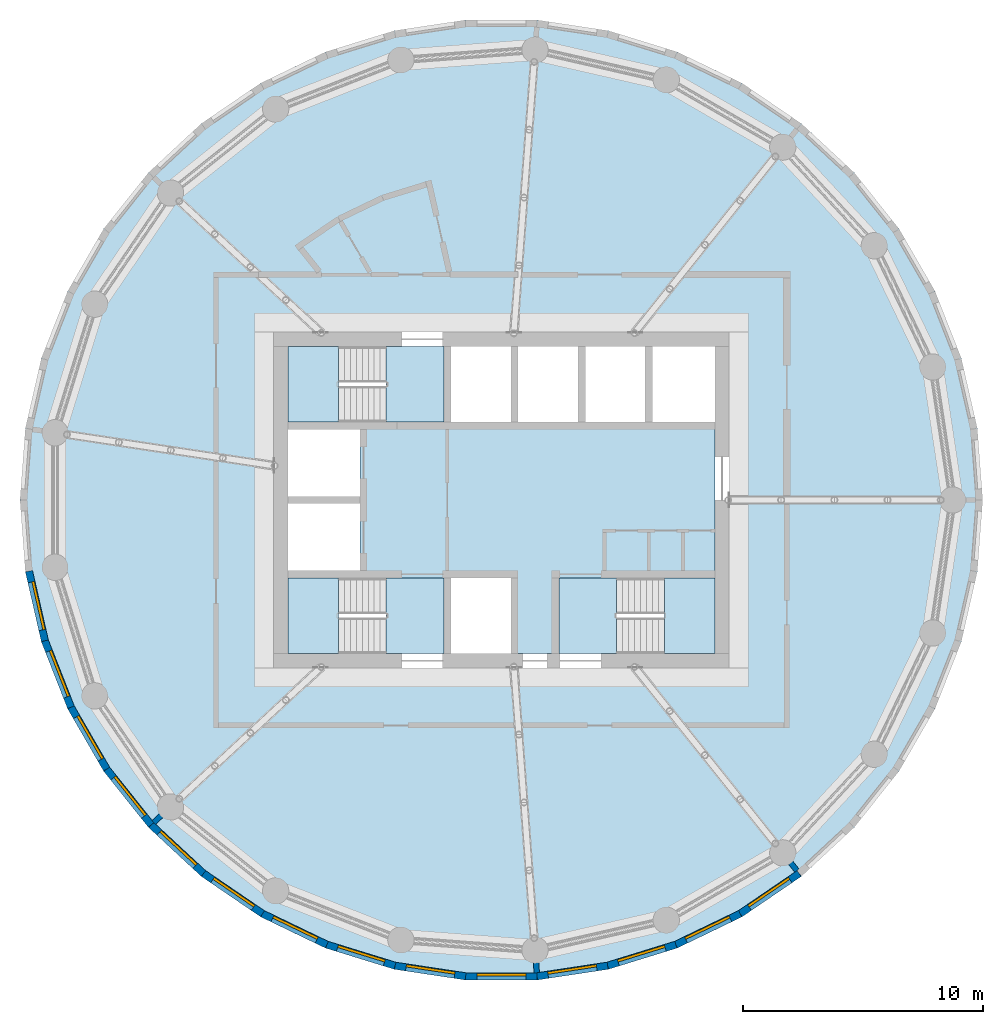
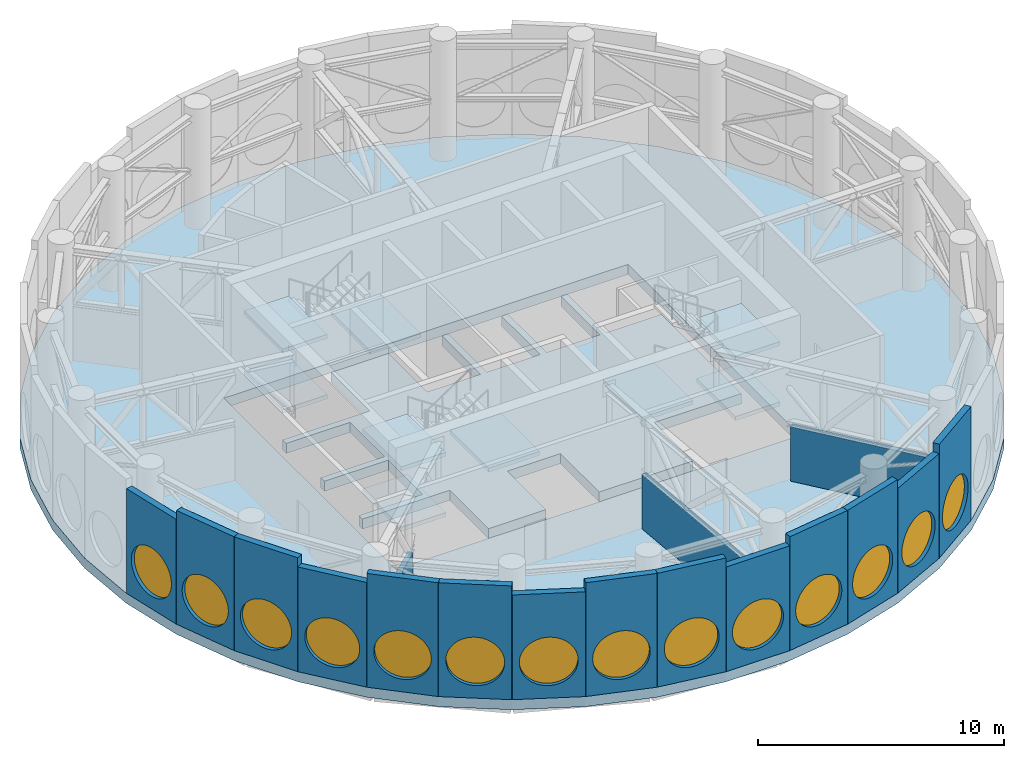
# One storey, part 7 of 13: 17 walls, 14 windows, 11 slabs, 14 openings, 3 elements without a shape of their own.
"""IFC4 building model written with IfcOpenShell, lengths in metres."""

from ifc_helpers import new_model, si_unit, direction, frame, frame_2d, origin, origin_2d, place, context, subcontext, project, spatial, polyline, rectangle, circle, outline, extrude, material, layer, layer_set, type_object, element, fill, aggregate, save


model = new_model("IFC4")

# Units and contexts
model_context = context("Model", 3, precision=1e-05, world=origin(), true_north=direction((0.0, 1.0)))
body_context = subcontext(model_context, "Body", "Model", "MODEL_VIEW")
ifc_project = project(units=[si_unit("LENGTHUNIT", "METRE"), si_unit("AREAUNIT", "SQUARE_METRE"), si_unit("VOLUMEUNIT", "CUBIC_METRE"), si_unit("PLANEANGLEUNIT", "RADIAN"), si_unit("MASSUNIT", "GRAM", prefix="KILO")], contexts=[model_context])

# Site, building, storey
site_placement = place(None, origin())
site = spatial("IfcSite", under=ifc_project, at=site_placement, CompositionType="ELEMENT")
building_placement = place(site_placement, origin())
building = spatial("IfcBuilding", under=site, at=building_placement, Name="Tracery Tower", CompositionType="ELEMENT")
storey_placement = place(building_placement, frame((0.0, 0.0, 277.800048828125)))
storey = spatial("IfcBuildingStorey", under=building, at=storey_placement, Name="L72 Plant", CompositionType="ELEMENT", Elevation=277.800048828125)

# Slabs
ifc_material_1 = material(Name="Concrete C40/50", Category="concrete")
ifc_layer_1 = layer(ifc_material_1, 0.5)
ifc_layer_set_1 = layer_set([ifc_layer_1], Name="Core floor slab 500 C40")
slab_type_1 = type_object("IfcSlabType", Name="Core floor slab 500 C40", PredefinedType="FLOOR", material=ifc_layer_set_1)
slab_1_placement = place(storey_placement, frame((0.0, 0.0, -0.5)))
element("IfcSlab", 1, at=slab_1_placement, inside=storey, type_object=slab_type_1, Name="L72 Plant core floor 1", PredefinedType="FLOOR", context=body_context, shape_type="SweptSolid", body=[
    extrude(outline(polyline([(-4.800537109375, -3.25), (-8.89990234375, -3.25), (-8.89990234375, -2.949951171875), (-5.89990234375, -2.949951171875), (-5.89990234375, -0.14990234375), (-8.89990234375, -0.14990234375), (-8.89990234375, 0.14990234375), (-5.89990234375, 0.14990234375), (-5.89990234375, 2.949951171875), (-8.89990234375, 2.949951171875), (-8.89990234375, 3.25), (-4.800537109375, 3.25), (-4.800537109375, 6.39990234375), (-2.10009765625, 6.39990234375), (-2.10009765625, 3.25), (0.39990234375, 3.25), (0.39990234375, 6.39990234375), (0.699951171875, 6.39990234375), (0.699951171875, 3.25), (3.199951171875, 3.25), (3.199951171875, 6.39990234375), (3.5, 6.39990234375), (3.5, 3.25), (6.0, 3.25), (6.0, 6.39990234375), (6.300048828125, 6.39990234375), (6.300048828125, 3.25), (8.89990234375, 3.25), (8.89990234375, -3.25), (4.800537109375, -3.25), (4.800537109375, -6.39990234375), (0.39990234375, -6.39990234375), (0.39990234375, -3.25), (-2.10009765625, -3.25), (-2.10009765625, -6.39990234375), (-4.800537109375, -6.39990234375), (-4.800537109375, -3.25)])), origin(), (0.0, 0.0, 1.0), 0.5),
])
ifc_material_2 = material(Name="Concrete C50/60", Category="concrete")
ifc_layer_2 = layer(ifc_material_2, 0.5)
ifc_layer_set_2 = layer_set([ifc_layer_2], Name="Plant floor slab 500")
slab_type_2 = type_object("IfcSlabType", Name="Plant floor slab 500", PredefinedType="FLOOR", material=ifc_layer_set_2)
slab_2_placement = place(storey_placement, frame((0.0, 0.0, -0.5)))
element("IfcSlab", 2, at=slab_2_placement, inside=storey, type_object=slab_type_2, Name="Floor slab L72 Plant", PredefinedType="FLOOR", context=body_context, shape_type="SweptSolid", body=[
    extrude(outline(polyline([(20.072265625, 0.0), (19.847900390625, 2.99169921875), (19.180419921875, 5.91650390625), (18.08447265625, 8.708984375), (16.58447265625, 11.30712890625), (14.714111328125, 13.652587890625), (12.514892578125, 15.693115234375), (10.0361328125, 17.383056640625), (7.333251953125, 18.684814453125), (4.466552734375, 19.56884765625), (1.5, 20.01611328125), (-1.5, 20.01611328125), (-4.466552734375, 19.56884765625), (-7.333251953125, 18.684814453125), (-10.0361328125, 17.383056640625), (-12.514892578125, 15.693115234375), (-14.714111328125, 13.652587890625), (-16.58447265625, 11.30712890625), (-18.08447265625, 8.708984375), (-19.180419921875, 5.91650390625), (-19.847900390625, 2.99169921875), (-20.072265625, 0.0), (-19.847900390625, -2.99169921875), (-19.180419921875, -5.91650390625), (-18.08447265625, -8.708984375), (-16.58447265625, -11.30712890625), (-14.714111328125, -13.652587890625), (-12.514892578125, -15.693115234375), (-10.0361328125, -17.383056640625), (-7.333251953125, -18.684814453125), (-4.466552734375, -19.56884765625), (-1.5, -20.01611328125), (1.5, -20.01611328125), (4.466552734375, -19.56884765625), (7.333251953125, -18.684814453125), (10.0361328125, -17.383056640625), (12.514892578125, -15.693115234375), (14.714111328125, -13.652587890625), (16.58447265625, -11.30712890625), (18.08447265625, -8.708984375), (19.180419921875, -5.91650390625), (19.847900390625, -2.99169921875), (20.072265625, 0.0)]), holes=[polyline([(-9.5, -7.0), (9.5, -7.0), (9.5, 7.0), (-9.5, 7.0), (-9.5, -7.0)])]), origin(), (0.0, 0.0, 1.0), 0.5),
])

# Stair, slabs
ifc_material_3 = material(Name="Concrete C32/40", Category="concrete")
stair_type = type_object("IfcStairType", Name="Core stair 36 risers", PredefinedType="HALF_TURN_STAIR", material=ifc_material_3)
stair_1_placement = place(storey_placement, origin())
stair_1 = element("IfcStair", 3, at=stair_1_placement, inside=storey, type_object=stair_type, Name="L72 Plant stair ST1", PredefinedType="HALF_TURN_STAIR")
ifc_material_4 = material(Name="Concrete C32/40", Category="concrete")
ifc_layer_3 = layer(ifc_material_4, 0.199951171875)
ifc_layer_set_3 = layer_set([ifc_layer_3], Name="Stair landing slab 200")
slab_type_3 = type_object("IfcSlabType", Name="Stair landing slab 200", PredefinedType="LANDING", material=ifc_layer_set_3)
slab_3_placement = place(storey_placement, frame((0.0, 0.0, 1.300048828125)))
slab_3 = element("IfcSlab", 4, at=slab_3_placement, type_object=slab_type_3, Name="ST1 landing 1", PredefinedType="LANDING", context=body_context, shape_type="SweptSolid", body=[
    extrude(outline(polyline([(-6.79931640625, -3.25), (-8.89990234375, -3.25), (-8.89990234375, -6.39990234375), (-6.79931640625, -6.39990234375), (-6.79931640625, -3.25)])), origin(), (0.0, 0.0, 1.0), 0.199951171875),
])
slab_4_placement = place(storey_placement, frame((0.0, 0.0, 2.800048828125)))
slab_4 = element("IfcSlab", 5, at=slab_4_placement, type_object=slab_type_3, Name="ST1 landing 2", PredefinedType="LANDING", context=body_context, shape_type="SweptSolid", body=[
    extrude(outline(polyline([(-2.39990234375, -3.25), (-4.800537109375, -3.25), (-4.800537109375, -6.39990234375), (-2.39990234375, -6.39990234375), (-2.39990234375, -3.25)])), origin(), (0.0, 0.0, 1.0), 0.199951171875),
])
slab_5_placement = place(storey_placement, frame((0.0, 0.0, 4.300048828125)))
slab_5 = element("IfcSlab", 6, at=slab_5_placement, type_object=slab_type_3, Name="ST1 landing 3", PredefinedType="LANDING", context=body_context, shape_type="SweptSolid", body=[
    extrude(outline(polyline([(-6.79931640625, -3.25), (-8.89990234375, -3.25), (-8.89990234375, -6.39990234375), (-6.79931640625, -6.39990234375), (-6.79931640625, -3.25)])), origin(), (0.0, 0.0, 1.0), 0.199951171875),
])
aggregate(stair_1, [slab_3, slab_4, slab_5])

stair_2_placement = place(storey_placement, origin())
stair_2 = element("IfcStair", 7, at=stair_2_placement, inside=storey, type_object=stair_type, Name="L72 Plant stair ST3", PredefinedType="HALF_TURN_STAIR")
slab_6_placement = place(storey_placement, frame((0.0, 0.0, 1.300048828125)))
slab_6 = element("IfcSlab", 8, at=slab_6_placement, type_object=slab_type_3, Name="ST3 landing 1", PredefinedType="LANDING", context=body_context, shape_type="SweptSolid", body=[
    extrude(outline(polyline([(-6.79931640625, 6.39990234375), (-8.89990234375, 6.39990234375), (-8.89990234375, 3.25), (-6.79931640625, 3.25), (-6.79931640625, 6.39990234375)])), origin(), (0.0, 0.0, 1.0), 0.199951171875),
])
slab_7_placement = place(storey_placement, frame((0.0, 0.0, 2.800048828125)))
slab_7 = element("IfcSlab", 9, at=slab_7_placement, type_object=slab_type_3, Name="ST3 landing 2", PredefinedType="LANDING", context=body_context, shape_type="SweptSolid", body=[
    extrude(outline(polyline([(-2.39990234375, 6.39990234375), (-4.800537109375, 6.39990234375), (-4.800537109375, 3.25), (-2.39990234375, 3.25), (-2.39990234375, 6.39990234375)])), origin(), (0.0, 0.0, 1.0), 0.199951171875),
])
slab_8_placement = place(storey_placement, frame((0.0, 0.0, 4.300048828125)))
slab_8 = element("IfcSlab", 10, at=slab_8_placement, type_object=slab_type_3, Name="ST3 landing 3", PredefinedType="LANDING", context=body_context, shape_type="SweptSolid", body=[
    extrude(outline(polyline([(-6.79931640625, 6.39990234375), (-8.89990234375, 6.39990234375), (-8.89990234375, 3.25), (-6.79931640625, 3.25), (-6.79931640625, 6.39990234375)])), origin(), (0.0, 0.0, 1.0), 0.199951171875),
])
aggregate(stair_2, [slab_6, slab_7, slab_8])

stair_3_placement = place(storey_placement, origin())
stair_3 = element("IfcStair", 11, at=stair_3_placement, inside=storey, type_object=stair_type, Name="L72 Plant stair ST2", PredefinedType="HALF_TURN_STAIR")
slab_9_placement = place(storey_placement, frame((0.0, 0.0, 1.300048828125)))
slab_9 = element("IfcSlab", 12, at=slab_9_placement, type_object=slab_type_3, Name="ST2 landing 1", PredefinedType="LANDING", context=body_context, shape_type="SweptSolid", body=[
    extrude(outline(polyline([(6.79931640625, -6.39990234375), (8.89990234375, -6.39990234375), (8.89990234375, -3.25), (6.79931640625, -3.25), (6.79931640625, -6.39990234375)])), origin(), (0.0, 0.0, 1.0), 0.199951171875),
])
slab_10_placement = place(storey_placement, frame((0.0, 0.0, 2.800048828125)))
slab_10 = element("IfcSlab", 13, at=slab_10_placement, type_object=slab_type_3, Name="ST2 landing 2", PredefinedType="LANDING", context=body_context, shape_type="SweptSolid", body=[
    extrude(outline(polyline([(2.39990234375, -6.39990234375), (4.800537109375, -6.39990234375), (4.800537109375, -3.25), (2.39990234375, -3.25), (2.39990234375, -6.39990234375)])), origin(), (0.0, 0.0, 1.0), 0.199951171875),
])
slab_11_placement = place(storey_placement, frame((0.0, 0.0, 4.300048828125)))
slab_11 = element("IfcSlab", 14, at=slab_11_placement, type_object=slab_type_3, Name="ST2 landing 3", PredefinedType="LANDING", context=body_context, shape_type="SweptSolid", body=[
    extrude(outline(polyline([(6.79931640625, -6.39990234375), (8.89990234375, -6.39990234375), (8.89990234375, -3.25), (6.79931640625, -3.25), (6.79931640625, -6.39990234375)])), origin(), (0.0, 0.0, 1.0), 0.199951171875),
])
aggregate(stair_3, [slab_9, slab_10, slab_11])

# Wall, opening, window
ifc_material_5 = material(Name="Precast concrete C50/60", Category="concrete")
ifc_layer_4 = layer(ifc_material_5, 0.300048828125)
ifc_layer_set_4 = layer_set([ifc_layer_4], Name="Plant louvre panel 3000 x 5200")
wall_type_1 = type_object("IfcWallType", Name="Plant louvre panel 3000 x 5200", PredefinedType="SOLIDWALL", material=ifc_layer_set_4)
wall_1_placement = place(storey_placement, frame((-19.69921875, -2.96923828125, 0.0), z_axis=(0.0, 0.0, 1.0), x_axis=(0.222535358937, -0.974924619662, 0.0)))
wall_1 = element("IfcWall", 15, at=wall_1_placement, inside=storey, type_object=wall_type_1, Name="Plant louvre panel 23 at L72 Plant", PredefinedType="SOLIDWALL", context=body_context, shape_type="SweptSolid", body=[
    extrude(rectangle(XDim=2.9775390625, YDim=0.300048828125, at=frame_2d((1.48876953125, 0.0))), origin(), (0.0, 0.0, 1.0), 5.199951171875),
])
opening_1_placement = place(wall_1_placement, frame((1.48876953125, 0.0, 1.824951171875)))
opening_1 = element("IfcOpeningElement", 16, at=opening_1_placement, cuts=wall_1, Name="Opening LV2", PredefinedType="OPENING", context=body_context, shape_type="SweptSolid", body=[
    extrude(circle(Radius=1.199951171875, at=origin_2d()), frame((0.0, 0.159912109375, 0.0), z_axis=(0.0, -1.0, 0.0), x_axis=(1.0, 0.0, 0.0)), (0.0, 0.0, 1.0), 0.320068359375),
])
ifc_material_6 = material(Name="Aluminium louvre, bronze anodised", Category="aluminium")
window_type = type_object("IfcWindowType", Name="Louvred oculus 2400, sill 625", PartitioningType="SINGLE_PANEL", PredefinedType="WINDOW", material=ifc_material_6)
window_1_placement = place(opening_1_placement, origin())
window_1 = element("IfcWindow", 17, at=window_1_placement, inside=storey, type_object=window_type, Name="Louvred oculus 23 at L72 Plant", OverallHeight=2.39990234375, OverallWidth=2.39990234375, PartitioningType="SINGLE_PANEL", PredefinedType="WINDOW", context=body_context, shape_type="SweptSolid", body=[
    extrude(circle(Radius=1.199951171875, at=origin_2d()), frame((0.0, 0.1201171875, 0.0), z_axis=(0.0, -1.0, 0.0), x_axis=(1.0, 0.0, 0.0)), (0.0, 0.0, 1.0), 0.10009765625),
])
fill(opening_1, window_1)

wall_2_placement = place(storey_placement, frame((-16.460205078125, -11.222412109375, 0.0), z_axis=(0.0, 0.0, 1.0), x_axis=(0.623494374707, -0.781827835722, 0.0)))
wall_2 = element("IfcWall", 18, at=wall_2_placement, inside=storey, type_object=wall_type_1, Name="Plant louvre panel 26 at L72 Plant", PredefinedType="SOLIDWALL", context=body_context, shape_type="SweptSolid", body=[
    extrude(rectangle(XDim=2.9775390625, YDim=0.300048828125, at=frame_2d((1.48876953125, 0.0))), origin(), (0.0, 0.0, 1.0), 5.199951171875),
])
opening_2_placement = place(wall_2_placement, frame((1.48876953125, 0.0, 1.824951171875)))
opening_2 = element("IfcOpeningElement", 19, at=opening_2_placement, cuts=wall_2, Name="Opening LV2", PredefinedType="OPENING", context=body_context, shape_type="SweptSolid", body=[
    extrude(circle(Radius=1.199951171875, at=origin_2d()), frame((0.0, 0.159912109375, 0.0), z_axis=(0.0, -1.0, 0.0), x_axis=(1.0, 0.0, 0.0)), (0.0, 0.0, 1.0), 0.320068359375),
])
window_2_placement = place(opening_2_placement, origin())
window_2 = element("IfcWindow", 20, at=window_2_placement, inside=storey, type_object=window_type, Name="Louvred oculus 26 at L72 Plant", OverallHeight=2.39990234375, OverallWidth=2.39990234375, PartitioningType="SINGLE_PANEL", PredefinedType="WINDOW", context=body_context, shape_type="SweptSolid", body=[
    extrude(circle(Radius=1.199951171875, at=origin_2d()), frame((0.0, 0.1201171875, 0.0), z_axis=(0.0, -1.0, 0.0), x_axis=(1.0, 0.0, 0.0)), (0.0, 0.0, 1.0), 0.10009765625),
])
fill(opening_2, window_2)

wall_3_placement = place(storey_placement, frame((-9.9609375, -17.252685546875, 0.0), z_axis=(0.0, 0.0, 1.0), x_axis=(0.900954184324, -0.433914228562, 0.0)))
wall_3 = element("IfcWall", 21, at=wall_3_placement, inside=storey, type_object=wall_type_1, Name="Plant louvre panel 29 at L72 Plant", PredefinedType="SOLIDWALL", context=body_context, shape_type="SweptSolid", body=[
    extrude(rectangle(XDim=2.9775390625, YDim=0.300048828125, at=frame_2d((1.48876953125, 0.0))), origin(), (0.0, 0.0, 1.0), 5.199951171875),
])
opening_3_placement = place(wall_3_placement, frame((1.48876953125, 0.0, 1.824951171875)))
opening_3 = element("IfcOpeningElement", 22, at=opening_3_placement, cuts=wall_3, Name="Opening LV2", PredefinedType="OPENING", context=body_context, shape_type="SweptSolid", body=[
    extrude(circle(Radius=1.199951171875, at=origin_2d()), frame((0.0, 0.159912109375, 0.0), z_axis=(0.0, -1.0, 0.0), x_axis=(1.0, 0.0, 0.0)), (0.0, 0.0, 1.0), 0.320068359375),
])
window_3_placement = place(opening_3_placement, origin())
window_3 = element("IfcWindow", 23, at=window_3_placement, inside=storey, type_object=window_type, Name="Louvred oculus 29 at L72 Plant", OverallHeight=2.39990234375, OverallWidth=2.39990234375, PartitioningType="SINGLE_PANEL", PredefinedType="WINDOW", context=body_context, shape_type="SweptSolid", body=[
    extrude(circle(Radius=1.199951171875, at=origin_2d()), frame((0.0, 0.1201171875, 0.0), z_axis=(0.0, -1.0, 0.0), x_axis=(1.0, 0.0, 0.0)), (0.0, 0.0, 1.0), 0.10009765625),
])
fill(opening_3, window_3)

wall_4_placement = place(storey_placement, frame((-1.48876953125, -19.865966796875, 0.0), z_axis=(0.0, 0.0, 1.0), x_axis=(1.0, 0.0, 0.0)))
wall_4 = element("IfcWall", 24, at=wall_4_placement, inside=storey, type_object=wall_type_1, Name="Plant louvre panel 32 at L72 Plant", PredefinedType="SOLIDWALL", context=body_context, shape_type="SweptSolid", body=[
    extrude(rectangle(XDim=2.9775390625, YDim=0.300048828125, at=frame_2d((1.48876953125, 0.0))), origin(), (0.0, 0.0, 1.0), 5.199951171875),
])
opening_4_placement = place(wall_4_placement, frame((1.48876953125, 0.0, 1.824951171875)))
opening_4 = element("IfcOpeningElement", 25, at=opening_4_placement, cuts=wall_4, Name="Opening LV2", PredefinedType="OPENING", context=body_context, shape_type="SweptSolid", body=[
    extrude(circle(Radius=1.199951171875, at=origin_2d()), frame((0.0, 0.159912109375, 0.0), z_axis=(0.0, -1.0, 0.0), x_axis=(1.0, 0.0, 0.0)), (0.0, 0.0, 1.0), 0.320068359375),
])
window_4_placement = place(opening_4_placement, origin())
window_4 = element("IfcWindow", 26, at=window_4_placement, inside=storey, type_object=window_type, Name="Louvred oculus 32 at L72 Plant", OverallHeight=2.39990234375, OverallWidth=2.39990234375, PartitioningType="SINGLE_PANEL", PredefinedType="WINDOW", context=body_context, shape_type="SweptSolid", body=[
    extrude(circle(Radius=1.199951171875, at=origin_2d()), frame((0.0, 0.1201171875, 0.0), z_axis=(0.0, -1.0, 0.0), x_axis=(1.0, 0.0, 0.0)), (0.0, 0.0, 1.0), 0.10009765625),
])
fill(opening_4, window_4)

wall_5_placement = place(storey_placement, frame((7.2783203125, -18.544677734375, 0.0), z_axis=(0.0, 0.0, 1.0), x_axis=(0.900954184324, 0.433914228562, 0.0)))
wall_5 = element("IfcWall", 27, at=wall_5_placement, inside=storey, type_object=wall_type_1, Name="Plant louvre panel 35 at L72 Plant", PredefinedType="SOLIDWALL", context=body_context, shape_type="SweptSolid", body=[
    extrude(rectangle(XDim=2.9775390625, YDim=0.300048828125, at=frame_2d((1.48876953125, 0.0))), origin(), (0.0, 0.0, 1.0), 5.199951171875),
])
opening_5_placement = place(wall_5_placement, frame((1.48876953125, 0.0, 1.824951171875)))
opening_5 = element("IfcOpeningElement", 28, at=opening_5_placement, cuts=wall_5, Name="Opening LV2", PredefinedType="OPENING", context=body_context, shape_type="SweptSolid", body=[
    extrude(circle(Radius=1.199951171875, at=origin_2d()), frame((0.0, 0.159912109375, 0.0), z_axis=(0.0, -1.0, 0.0), x_axis=(1.0, 0.0, 0.0)), (0.0, 0.0, 1.0), 0.320068359375),
])
window_5_placement = place(opening_5_placement, origin())
window_5 = element("IfcWindow", 29, at=window_5_placement, inside=storey, type_object=window_type, Name="Louvred oculus 35 at L72 Plant", OverallHeight=2.39990234375, OverallWidth=2.39990234375, PartitioningType="SINGLE_PANEL", PredefinedType="WINDOW", context=body_context, shape_type="SweptSolid", body=[
    extrude(circle(Radius=1.199951171875, at=origin_2d()), frame((0.0, 0.1201171875, 0.0), z_axis=(0.0, -1.0, 0.0), x_axis=(1.0, 0.0, 0.0)), (0.0, 0.0, 1.0), 0.10009765625),
])
fill(opening_5, window_5)

ifc_material_7 = material(Name="Precast concrete C50/60", Category="concrete")
ifc_layer_5 = layer(ifc_material_7, 0.300048828125)
ifc_layer_set_5 = layer_set([ifc_layer_5], Name="Plant louvre panel 3000 x 5650")
wall_type_2 = type_object("IfcWallType", Name="Plant louvre panel 3000 x 5650", PredefinedType="SOLIDWALL", material=ifc_layer_set_5)
wall_6_placement = place(storey_placement, frame((-19.03662109375, -5.8720703125, 0.0), z_axis=(0.0, 0.0, 1.0), x_axis=(0.365289571566, -0.930893940739, 0.0)))
wall_6 = element("IfcWall", 30, at=wall_6_placement, inside=storey, type_object=wall_type_2, Name="Plant louvre panel 24 at L72 Plant", PredefinedType="SOLIDWALL", context=body_context, shape_type="SweptSolid", body=[
    extrude(rectangle(XDim=2.9775390625, YDim=0.300048828125, at=frame_2d((1.48876953125, 0.0))), origin(), (0.0, 0.0, 1.0), 5.64990234375),
])
opening_6_placement = place(wall_6_placement, frame((1.48876953125, 0.0, 1.824951171875)))
opening_6 = element("IfcOpeningElement", 31, at=opening_6_placement, cuts=wall_6, Name="Opening LV2", PredefinedType="OPENING", context=body_context, shape_type="SweptSolid", body=[
    extrude(circle(Radius=1.199951171875, at=origin_2d()), frame((0.0, 0.159912109375, 0.0), z_axis=(0.0, -1.0, 0.0), x_axis=(1.0, 0.0, 0.0)), (0.0, 0.0, 1.0), 0.320068359375),
])
window_6_placement = place(opening_6_placement, origin())
window_6 = element("IfcWindow", 32, at=window_6_placement, inside=storey, type_object=window_type, Name="Louvred oculus 24 at L72 Plant", OverallHeight=2.39990234375, OverallWidth=2.39990234375, PartitioningType="SINGLE_PANEL", PredefinedType="WINDOW", context=body_context, shape_type="SweptSolid", body=[
    extrude(circle(Radius=1.199951171875, at=origin_2d()), frame((0.0, 0.1201171875, 0.0), z_axis=(0.0, -1.0, 0.0), x_axis=(1.0, 0.0, 0.0)), (0.0, 0.0, 1.0), 0.10009765625),
])
fill(opening_6, window_6)

wall_7_placement = place(storey_placement, frame((-17.948974609375, -8.643798828125, 0.0), z_axis=(0.0, 0.0, 1.0), x_axis=(0.500001626982, -0.866024464444, 0.0)))
wall_7 = element("IfcWall", 33, at=wall_7_placement, inside=storey, type_object=wall_type_2, Name="Plant louvre panel 25 at L72 Plant", PredefinedType="SOLIDWALL", context=body_context, shape_type="SweptSolid", body=[
    extrude(rectangle(XDim=2.9775390625, YDim=0.300048828125, at=frame_2d((1.48876953125, 0.0))), origin(), (0.0, 0.0, 1.0), 5.64990234375),
])
opening_7_placement = place(wall_7_placement, frame((1.48876953125, 0.0, 1.824951171875)))
opening_7 = element("IfcOpeningElement", 34, at=opening_7_placement, cuts=wall_7, Name="Opening LV2", PredefinedType="OPENING", context=body_context, shape_type="SweptSolid", body=[
    extrude(circle(Radius=1.199951171875, at=origin_2d()), frame((0.0, 0.159912109375, 0.0), z_axis=(0.0, -1.0, 0.0), x_axis=(1.0, 0.0, 0.0)), (0.0, 0.0, 1.0), 0.320068359375),
])
window_7_placement = place(opening_7_placement, origin())
window_7 = element("IfcWindow", 35, at=window_7_placement, inside=storey, type_object=window_type, Name="Louvred oculus 25 at L72 Plant", OverallHeight=2.39990234375, OverallWidth=2.39990234375, PartitioningType="SINGLE_PANEL", PredefinedType="WINDOW", context=body_context, shape_type="SweptSolid", body=[
    extrude(circle(Radius=1.199951171875, at=origin_2d()), frame((0.0, 0.1201171875, 0.0), z_axis=(0.0, -1.0, 0.0), x_axis=(1.0, 0.0, 0.0)), (0.0, 0.0, 1.0), 0.10009765625),
])
fill(opening_7, window_7)

wall_8_placement = place(storey_placement, frame((-14.603759765625, -13.55029296875, 0.0), z_axis=(0.0, 0.0, 1.0), x_axis=(0.733056277766, -0.68016798927, 0.0)))
wall_8 = element("IfcWall", 36, at=wall_8_placement, inside=storey, type_object=wall_type_2, Name="Plant louvre panel 27 at L72 Plant", PredefinedType="SOLIDWALL", context=body_context, shape_type="SweptSolid", body=[
    extrude(rectangle(XDim=2.9775390625, YDim=0.300048828125, at=frame_2d((1.48876953125, 0.0))), origin(), (0.0, 0.0, 1.0), 5.64990234375),
])
opening_8_placement = place(wall_8_placement, frame((1.48876953125, 0.0, 1.824951171875)))
opening_8 = element("IfcOpeningElement", 37, at=opening_8_placement, cuts=wall_8, Name="Opening LV2", PredefinedType="OPENING", context=body_context, shape_type="SweptSolid", body=[
    extrude(circle(Radius=1.199951171875, at=origin_2d()), frame((0.0, 0.159912109375, 0.0), z_axis=(0.0, -1.0, 0.0), x_axis=(1.0, 0.0, 0.0)), (0.0, 0.0, 1.0), 0.320068359375),
])
window_8_placement = place(opening_8_placement, origin())
window_8 = element("IfcWindow", 38, at=window_8_placement, inside=storey, type_object=window_type, Name="Louvred oculus 27 at L72 Plant", OverallHeight=2.39990234375, OverallWidth=2.39990234375, PartitioningType="SINGLE_PANEL", PredefinedType="WINDOW", context=body_context, shape_type="SweptSolid", body=[
    extrude(circle(Radius=1.199951171875, at=origin_2d()), frame((0.0, 0.1201171875, 0.0), z_axis=(0.0, -1.0, 0.0), x_axis=(1.0, 0.0, 0.0)), (0.0, 0.0, 1.0), 0.10009765625),
])
fill(opening_8, window_8)

wall_9_placement = place(storey_placement, frame((-12.421142578125, -15.575439453125, 0.0), z_axis=(0.0, 0.0, 1.0), x_axis=(0.826253362584, -0.56329866041, 0.0)))
wall_9 = element("IfcWall", 39, at=wall_9_placement, inside=storey, type_object=wall_type_2, Name="Plant louvre panel 28 at L72 Plant", PredefinedType="SOLIDWALL", context=body_context, shape_type="SweptSolid", body=[
    extrude(rectangle(XDim=2.9775390625, YDim=0.300048828125, at=frame_2d((1.48876953125, 0.0))), origin(), (0.0, 0.0, 1.0), 5.64990234375),
])
opening_9_placement = place(wall_9_placement, frame((1.48876953125, 0.0, 1.824951171875)))
opening_9 = element("IfcOpeningElement", 40, at=opening_9_placement, cuts=wall_9, Name="Opening LV2", PredefinedType="OPENING", context=body_context, shape_type="SweptSolid", body=[
    extrude(circle(Radius=1.199951171875, at=origin_2d()), frame((0.0, 0.159912109375, 0.0), z_axis=(0.0, -1.0, 0.0), x_axis=(1.0, 0.0, 0.0)), (0.0, 0.0, 1.0), 0.320068359375),
])
window_9_placement = place(opening_9_placement, origin())
window_9 = element("IfcWindow", 41, at=window_9_placement, inside=storey, type_object=window_type, Name="Louvred oculus 28 at L72 Plant", OverallHeight=2.39990234375, OverallWidth=2.39990234375, PartitioningType="SINGLE_PANEL", PredefinedType="WINDOW", context=body_context, shape_type="SweptSolid", body=[
    extrude(circle(Radius=1.199951171875, at=origin_2d()), frame((0.0, 0.1201171875, 0.0), z_axis=(0.0, -1.0, 0.0), x_axis=(1.0, 0.0, 0.0)), (0.0, 0.0, 1.0), 0.10009765625),
])
fill(opening_9, window_9)

wall_10_placement = place(storey_placement, frame((-7.2783203125, -18.544677734375, 0.0), z_axis=(0.0, 0.0, 1.0), x_axis=(0.955567792294, -0.294771427261, 0.0)))
wall_10 = element("IfcWall", 42, at=wall_10_placement, inside=storey, type_object=wall_type_2, Name="Plant louvre panel 30 at L72 Plant", PredefinedType="SOLIDWALL", context=body_context, shape_type="SweptSolid", body=[
    extrude(rectangle(XDim=2.9775390625, YDim=0.300048828125, at=frame_2d((1.48876953125, 0.0))), origin(), (0.0, 0.0, 1.0), 5.64990234375),
])
opening_10_placement = place(wall_10_placement, frame((1.48876953125, 0.0, 1.824951171875)))
opening_10 = element("IfcOpeningElement", 43, at=opening_10_placement, cuts=wall_10, Name="Opening LV2", PredefinedType="OPENING", context=body_context, shape_type="SweptSolid", body=[
    extrude(circle(Radius=1.199951171875, at=origin_2d()), frame((0.0, 0.159912109375, 0.0), z_axis=(0.0, -1.0, 0.0), x_axis=(1.0, 0.0, 0.0)), (0.0, 0.0, 1.0), 0.320068359375),
])
window_10_placement = place(opening_10_placement, origin())
window_10 = element("IfcWindow", 44, at=window_10_placement, inside=storey, type_object=window_type, Name="Louvred oculus 30 at L72 Plant", OverallHeight=2.39990234375, OverallWidth=2.39990234375, PartitioningType="SINGLE_PANEL", PredefinedType="WINDOW", context=body_context, shape_type="SweptSolid", body=[
    extrude(circle(Radius=1.199951171875, at=origin_2d()), frame((0.0, 0.1201171875, 0.0), z_axis=(0.0, -1.0, 0.0), x_axis=(1.0, 0.0, 0.0)), (0.0, 0.0, 1.0), 0.10009765625),
])
fill(opening_10, window_10)

wall_11_placement = place(storey_placement, frame((-4.43310546875, -19.42236328125, 0.0), z_axis=(0.0, 0.0, 1.0), x_axis=(0.988839917871, -0.148981934558, 0.0)))
wall_11 = element("IfcWall", 45, at=wall_11_placement, inside=storey, type_object=wall_type_2, Name="Plant louvre panel 31 at L72 Plant", PredefinedType="SOLIDWALL", context=body_context, shape_type="SweptSolid", body=[
    extrude(rectangle(XDim=2.9775390625, YDim=0.300048828125, at=frame_2d((1.48876953125, 0.0))), origin(), (0.0, 0.0, 1.0), 5.64990234375),
])
opening_11_placement = place(wall_11_placement, frame((1.48876953125, 0.0, 1.824951171875)))
opening_11 = element("IfcOpeningElement", 46, at=opening_11_placement, cuts=wall_11, Name="Opening LV2", PredefinedType="OPENING", context=body_context, shape_type="SweptSolid", body=[
    extrude(circle(Radius=1.199951171875, at=origin_2d()), frame((0.0, 0.159912109375, 0.0), z_axis=(0.0, -1.0, 0.0), x_axis=(1.0, 0.0, 0.0)), (0.0, 0.0, 1.0), 0.320068359375),
])
window_11_placement = place(opening_11_placement, origin())
window_11 = element("IfcWindow", 47, at=window_11_placement, inside=storey, type_object=window_type, Name="Louvred oculus 31 at L72 Plant", OverallHeight=2.39990234375, OverallWidth=2.39990234375, PartitioningType="SINGLE_PANEL", PredefinedType="WINDOW", context=body_context, shape_type="SweptSolid", body=[
    extrude(circle(Radius=1.199951171875, at=origin_2d()), frame((0.0, 0.1201171875, 0.0), z_axis=(0.0, -1.0, 0.0), x_axis=(1.0, 0.0, 0.0)), (0.0, 0.0, 1.0), 0.10009765625),
])
fill(opening_11, window_11)

wall_12_placement = place(storey_placement, frame((1.48876953125, -19.865966796875, 0.0), z_axis=(0.0, 0.0, 1.0), x_axis=(0.988839917871, 0.148981934558, 0.0)))
wall_12 = element("IfcWall", 48, at=wall_12_placement, inside=storey, type_object=wall_type_2, Name="Plant louvre panel 33 at L72 Plant", PredefinedType="SOLIDWALL", context=body_context, shape_type="SweptSolid", body=[
    extrude(rectangle(XDim=2.9775390625, YDim=0.300048828125, at=frame_2d((1.48876953125, 0.0))), origin(), (0.0, 0.0, 1.0), 5.64990234375),
])
opening_12_placement = place(wall_12_placement, frame((1.48876953125, 0.0, 1.824951171875)))
opening_12 = element("IfcOpeningElement", 49, at=opening_12_placement, cuts=wall_12, Name="Opening LV2", PredefinedType="OPENING", context=body_context, shape_type="SweptSolid", body=[
    extrude(circle(Radius=1.199951171875, at=origin_2d()), frame((0.0, 0.159912109375, 0.0), z_axis=(0.0, -1.0, 0.0), x_axis=(1.0, 0.0, 0.0)), (0.0, 0.0, 1.0), 0.320068359375),
])
window_12_placement = place(opening_12_placement, origin())
window_12 = element("IfcWindow", 50, at=window_12_placement, inside=storey, type_object=window_type, Name="Louvred oculus 33 at L72 Plant", OverallHeight=2.39990234375, OverallWidth=2.39990234375, PartitioningType="SINGLE_PANEL", PredefinedType="WINDOW", context=body_context, shape_type="SweptSolid", body=[
    extrude(circle(Radius=1.199951171875, at=origin_2d()), frame((0.0, 0.1201171875, 0.0), z_axis=(0.0, -1.0, 0.0), x_axis=(1.0, 0.0, 0.0)), (0.0, 0.0, 1.0), 0.10009765625),
])
fill(opening_12, window_12)

wall_13_placement = place(storey_placement, frame((4.43310546875, -19.42236328125, 0.0), z_axis=(0.0, 0.0, 1.0), x_axis=(0.955567792294, 0.294771427261, 0.0)))
wall_13 = element("IfcWall", 51, at=wall_13_placement, inside=storey, type_object=wall_type_2, Name="Plant louvre panel 34 at L72 Plant", PredefinedType="SOLIDWALL", context=body_context, shape_type="SweptSolid", body=[
    extrude(rectangle(XDim=2.9775390625, YDim=0.300048828125, at=frame_2d((1.48876953125, 0.0))), origin(), (0.0, 0.0, 1.0), 5.64990234375),
])
opening_13_placement = place(wall_13_placement, frame((1.48876953125, 0.0, 1.824951171875)))
opening_13 = element("IfcOpeningElement", 52, at=opening_13_placement, cuts=wall_13, Name="Opening LV2", PredefinedType="OPENING", context=body_context, shape_type="SweptSolid", body=[
    extrude(circle(Radius=1.199951171875, at=origin_2d()), frame((0.0, 0.159912109375, 0.0), z_axis=(0.0, -1.0, 0.0), x_axis=(1.0, 0.0, 0.0)), (0.0, 0.0, 1.0), 0.320068359375),
])
window_13_placement = place(opening_13_placement, origin())
window_13 = element("IfcWindow", 53, at=window_13_placement, inside=storey, type_object=window_type, Name="Louvred oculus 34 at L72 Plant", OverallHeight=2.39990234375, OverallWidth=2.39990234375, PartitioningType="SINGLE_PANEL", PredefinedType="WINDOW", context=body_context, shape_type="SweptSolid", body=[
    extrude(circle(Radius=1.199951171875, at=origin_2d()), frame((0.0, 0.1201171875, 0.0), z_axis=(0.0, -1.0, 0.0), x_axis=(1.0, 0.0, 0.0)), (0.0, 0.0, 1.0), 0.10009765625),
])
fill(opening_13, window_13)

wall_14_placement = place(storey_placement, frame((9.9609375, -17.252685546875, 0.0), z_axis=(0.0, 0.0, 1.0), x_axis=(0.826253362584, 0.56329866041, 0.0)))
wall_14 = element("IfcWall", 54, at=wall_14_placement, inside=storey, type_object=wall_type_2, Name="Plant louvre panel 36 at L72 Plant", PredefinedType="SOLIDWALL", context=body_context, shape_type="SweptSolid", body=[
    extrude(rectangle(XDim=2.9775390625, YDim=0.300048828125, at=frame_2d((1.48876953125, 0.0))), origin(), (0.0, 0.0, 1.0), 5.64990234375),
])
opening_14_placement = place(wall_14_placement, frame((1.48876953125, 0.0, 1.824951171875)))
opening_14 = element("IfcOpeningElement", 55, at=opening_14_placement, cuts=wall_14, Name="Opening LV2", PredefinedType="OPENING", context=body_context, shape_type="SweptSolid", body=[
    extrude(circle(Radius=1.199951171875, at=origin_2d()), frame((0.0, 0.159912109375, 0.0), z_axis=(0.0, -1.0, 0.0), x_axis=(1.0, 0.0, 0.0)), (0.0, 0.0, 1.0), 0.320068359375),
])
window_14_placement = place(opening_14_placement, origin())
window_14 = element("IfcWindow", 56, at=window_14_placement, inside=storey, type_object=window_type, Name="Louvred oculus 36 at L72 Plant", OverallHeight=2.39990234375, OverallWidth=2.39990234375, PartitioningType="SINGLE_PANEL", PredefinedType="WINDOW", context=body_context, shape_type="SweptSolid", body=[
    extrude(circle(Radius=1.199951171875, at=origin_2d()), frame((0.0, 0.1201171875, 0.0), z_axis=(0.0, -1.0, 0.0), x_axis=(1.0, 0.0, 0.0)), (0.0, 0.0, 1.0), 0.10009765625),
])
fill(opening_14, window_14)

# Walls
ifc_material_8 = material(Name="Concrete blockwork", Category="masonry")
ifc_layer_6 = layer(ifc_material_8, 0.22509765625)
ifc_layer_set_6 = layer_set([ifc_layer_6], Name="Plant wall under outrigger truss 225")
wall_type_3 = type_object("IfcWallType", Name="Plant wall under outrigger truss 225", PredefinedType="PARTITIONING", material=ifc_layer_set_6)
wall_15_placement = place(storey_placement, frame((-14.493408203125, -13.447998046875, 0.0), z_axis=(0.0, 0.0, 1.0), x_axis=(0.733050106305, 0.680174640549, 0.0)))
element("IfcWall", 57, at=wall_15_placement, inside=storey, type_object=wall_type_3, Name="Plant wall under outrigger truss 225", PredefinedType="PARTITIONING", context=body_context, shape_type="SweptSolid", body=[
    extrude(rectangle(XDim=5.725341796875, YDim=0.22509765625, at=frame_2d((2.86279296875, 0.0))), origin(), (0.0, 0.0, 1.0), 2.699951171875),
])
wall_16_placement = place(storey_placement, frame((1.4775390625, -19.716064453125, 0.0), z_axis=(0.0, 0.0, 1.0), x_axis=(-0.074735948373, 0.997203358408, 0.0)))
element("IfcWall", 58, at=wall_16_placement, inside=storey, type_object=wall_type_3, Name="Plant wall under outrigger truss 225", PredefinedType="PARTITIONING", context=body_context, shape_type="SweptSolid", body=[
    extrude(rectangle(XDim=10.22802734375, YDim=0.22509765625, at=frame_2d((5.114013671875, 0.0))), origin(), (0.0, 0.0, 1.0), 2.699951171875),
])
wall_17_placement = place(storey_placement, frame((12.3271484375, -15.4580078125, 0.0), z_axis=(0.0, 0.0, 1.0), x_axis=(-0.623469403717, 0.781847749008, 0.0)))
element("IfcWall", 59, at=wall_17_placement, inside=storey, type_object=wall_type_3, Name="Plant wall under outrigger truss 225", PredefinedType="PARTITIONING", context=body_context, shape_type="SweptSolid", body=[
    extrude(rectangle(XDim=7.5595703125, YDim=0.22509765625, at=frame_2d((3.77978515625, 0.0))), origin(), (0.0, 0.0, 1.0), 2.699951171875),
])

save(model, "model.ifc")
